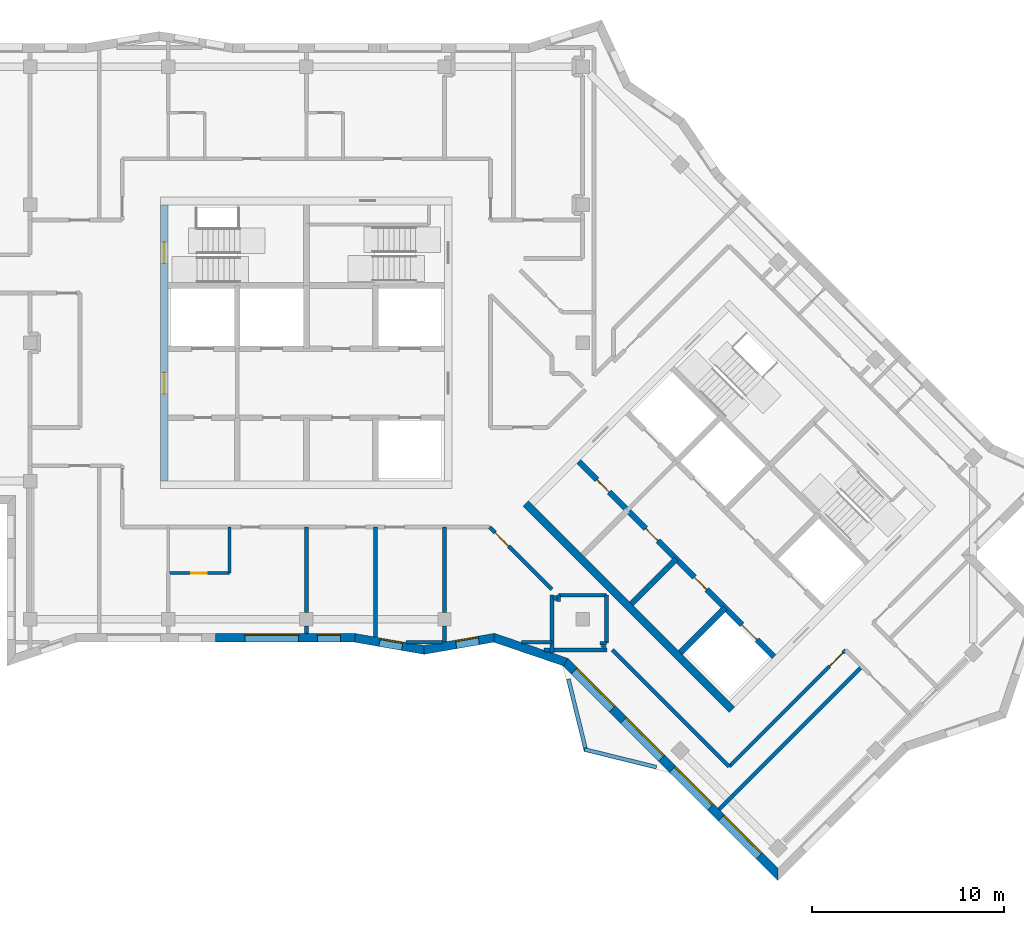
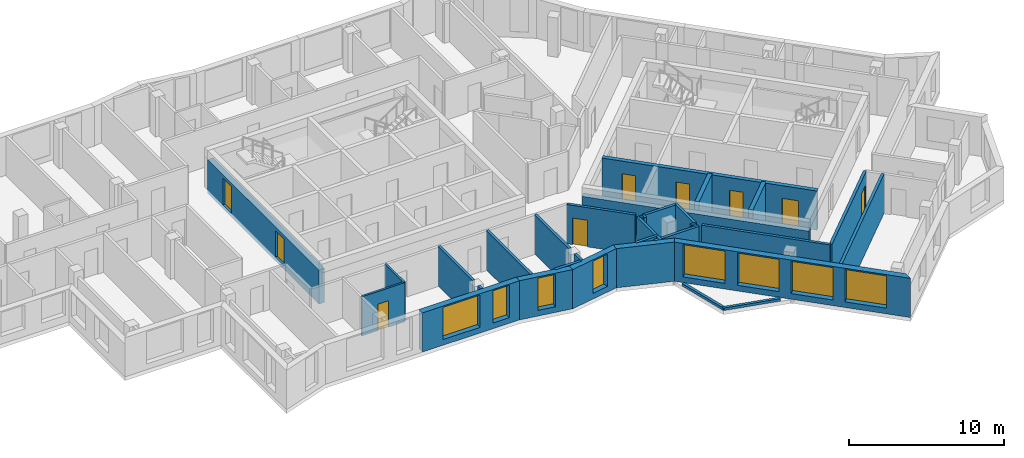
# One storey, part 3 of 11: 33 walls, 9 doors, 8 windows, 17 openings.
"""IFC4 building model written with IfcOpenShell, lengths in metres."""

from ifc_helpers import new_model, si_unit, direction, frame, frame_2d, origin, place, context, subcontext, project, spatial, polyline, rectangle, outline, extrude, material, layer, layer_set, type_object, element, fill, save


model = new_model("IFC4")

# Units and contexts
model_context = context("Model", 3, precision=1e-05, world=origin(), true_north=direction((0.0, 1.0)))
body_context = subcontext(model_context, "Body", "Model", "MODEL_VIEW")
ifc_project = project(units=[si_unit("LENGTHUNIT", "METRE"), si_unit("AREAUNIT", "SQUARE_METRE"), si_unit("VOLUMEUNIT", "CUBIC_METRE"), si_unit("PLANEANGLEUNIT", "RADIAN"), si_unit("MASSUNIT", "GRAM", prefix="KILO")], contexts=[model_context])

# Site, building, storey
site_placement = place(None, origin())
site = spatial("IfcSite", under=ifc_project, at=site_placement, CompositionType="ELEMENT")
building_placement = place(site_placement, origin())
building = spatial("IfcBuilding", under=site, at=building_placement, Name="Windrow Commons", CompositionType="ELEMENT")
storey_placement = place(building_placement, frame((0.0, 0.0, 281.2)))
storey = spatial("IfcBuildingStorey", under=building, at=storey_placement, Name="L77", CompositionType="ELEMENT", Elevation=281.2)

# Wall, openings, windows
ifc_material_1 = material(Name="Brick masonry, red clay brick", Category="masonry")
ifc_layer_1 = layer(ifc_material_1, 0.45)
ifc_layer_set_1 = layer_set([ifc_layer_1], Name="Brick facade wall 450")
wall_type_1 = type_object("IfcWallType", Name="Brick facade wall 450", PredefinedType="SOLIDWALL", material=ifc_layer_set_1)
wall_1_placement = place(storey_placement, frame((60.0708, 42.225, 0.0), z_axis=(0.0, 0.0, 1.0), x_axis=(1.0, 0.0, 0.0)))
wall_1 = element("IfcWall", 1, at=wall_1_placement, inside=storey, type_object=wall_type_1, Name="Brick facade wall L77 31", PredefinedType="SOLIDWALL", context=body_context, shape_type="SweptSolid", body=[
    extrude(outline(polyline([(0.0, -0.225), (7.2472, -0.225), (7.2862, 0.225), (0.0, 0.225), (0.0, -0.225)])), origin(), (0.0, 0.0, 1.0), 3.1),
])
opening_1_placement = place(wall_1_placement, frame((1.5292, 0.0, 0.45)))
opening_1 = element("IfcOpeningElement", 2, at=opening_1_placement, cuts=wall_1, Name="Opening W1V", PredefinedType="OPENING", context=body_context, shape_type="SweptSolid", body=[
    extrude(rectangle(XDim=2.8, YDim=2.55, at=frame_2d((1.4, 1.275))), frame((0.0, 0.235, 0.0), z_axis=(0.0, -1.0, 0.0), x_axis=(1.0, 0.0, 0.0)), (0.0, 0.0, 1.0), 0.47),
])
opening_2_placement = place(wall_1_placement, frame((5.2979, 0.0, 0.45)))
opening_2 = element("IfcOpeningElement", 3, at=opening_2_placement, cuts=wall_1, Name="Opening W7F", PredefinedType="OPENING", context=body_context, shape_type="SweptSolid", body=[
    extrude(rectangle(XDim=1.2, YDim=2.55, at=frame_2d((0.6, 1.275))), frame((0.0, 0.235, 0.0), z_axis=(0.0, -1.0, 0.0), x_axis=(1.0, 0.0, 0.0)), (0.0, 0.0, 1.0), 0.47),
])
ifc_material_2 = material(Name="Clear float glass in anodised aluminium frame", Category="aluminium")
window_type_1 = type_object("IfcWindowType", Name="Window W1V bedroom 2800x2550", PartitioningType="SINGLE_PANEL", PredefinedType="WINDOW", material=ifc_material_2)
window_1_placement = place(opening_1_placement, origin())
window_1 = element("IfcWindow", 4, at=window_1_placement, inside=storey, type_object=window_type_1, Name="Window L77 31.1", OverallHeight=2.55, OverallWidth=2.8, PartitioningType="SINGLE_PANEL", PredefinedType="WINDOW", context=body_context, shape_type="SweptSolid", body=[
    extrude(rectangle(XDim=2.8, YDim=2.55, at=frame_2d((1.4, 1.275))), frame((0.0, 0.205, 0.0), z_axis=(0.0, -1.0, 0.0), x_axis=(1.0, 0.0, 0.0)), (0.0, 0.0, 1.0), 0.06),
])
fill(opening_1, window_1)
ifc_material_3 = material(Name="Clear float glass in anodised aluminium frame", Category="aluminium")
window_type_2 = type_object("IfcWindowType", Name="Window W7 notch 1200x2550", PartitioningType="SINGLE_PANEL", PredefinedType="WINDOW", material=ifc_material_3)
window_2_placement = place(opening_2_placement, origin())
window_2 = element("IfcWindow", 5, at=window_2_placement, inside=storey, type_object=window_type_2, Name="Window L77 31.2", OverallHeight=2.55, OverallWidth=1.2, PartitioningType="SINGLE_PANEL", PredefinedType="WINDOW", context=body_context, shape_type="SweptSolid", body=[
    extrude(rectangle(XDim=1.2, YDim=2.55, at=frame_2d((0.6, 1.275))), frame((0.0, 0.205, 0.0), z_axis=(0.0, -1.0, 0.0), x_axis=(1.0, 0.0, 0.0)), (0.0, 0.0, 1.0), 0.06),
])
fill(opening_2, window_2)

# Wall, opening, window
wall_2_placement = place(storey_placement, frame((67.3376, 42.225, 0.0), z_axis=(0.0, 0.0, 1.0), x_axis=(0.9850822859, -0.1720839619, 0.0)))
wall_2 = element("IfcWall", 6, at=wall_2_placement, inside=storey, type_object=wall_type_1, Name="Brick facade wall L77 32", PredefinedType="SOLIDWALL", context=body_context, shape_type="SweptSolid", body=[
    extrude(outline(polyline([(0.0195, -0.225), (3.698, -0.225), (3.6194, 0.225), (-0.0195, 0.225), (0.0195, -0.225)])), origin(), (0.0, 0.0, 1.0), 3.1),
])
opening_3_placement = place(wall_2_placement, frame((1.299, 0.0, 0.45)))
opening_3 = element("IfcOpeningElement", 7, at=opening_3_placement, cuts=wall_2, Name="Opening W7F", PredefinedType="OPENING", context=body_context, shape_type="SweptSolid", body=[
    extrude(rectangle(XDim=1.2, YDim=2.55, at=frame_2d((0.6, 1.275))), frame((0.0, 0.235, 0.0), z_axis=(0.0, -1.0, 0.0), x_axis=(1.0, 0.0, 0.0)), (0.0, 0.0, 1.0), 0.47),
])
window_3_placement = place(opening_3_placement, origin())
window_3 = element("IfcWindow", 8, at=window_3_placement, inside=storey, type_object=window_type_2, Name="Window L77 32.1", OverallHeight=2.55, OverallWidth=1.2, PartitioningType="SINGLE_PANEL", PredefinedType="WINDOW", context=body_context, shape_type="SweptSolid", body=[
    extrude(rectangle(XDim=1.2, YDim=2.55, at=frame_2d((0.6, 1.275))), frame((0.0, 0.205, 0.0), z_axis=(0.0, -1.0, 0.0), x_axis=(1.0, 0.0, 0.0)), (0.0, 0.0, 1.0), 0.06),
])
fill(opening_3, window_3)

wall_3_placement = place(storey_placement, frame((70.9417, 41.5954, 0.0), z_axis=(0.0, 0.0, 1.0), x_axis=(0.9850846186, 0.172070608, 0.0)))
wall_3 = element("IfcWall", 9, at=wall_3_placement, inside=storey, type_object=wall_type_1, Name="Brick facade wall L77 33", PredefinedType="SOLIDWALL", context=body_context, shape_type="SweptSolid", body=[
    extrude(outline(polyline([(-0.0393, -0.225), (3.6392, -0.225), (3.7543, 0.225), (0.0393, 0.225), (-0.0393, -0.225)])), origin(), (0.0, 0.0, 1.0), 3.1),
])
opening_4_placement = place(wall_3_placement, frame((1.6855, 0.0, 0.45)))
opening_4 = element("IfcOpeningElement", 10, at=opening_4_placement, cuts=wall_3, Name="Opening W7F", PredefinedType="OPENING", context=body_context, shape_type="SweptSolid", body=[
    extrude(rectangle(XDim=1.2, YDim=2.55, at=frame_2d((0.6, 1.275))), frame((0.0, 0.235, 0.0), z_axis=(0.0, -1.0, 0.0), x_axis=(1.0, 0.0, 0.0)), (0.0, 0.0, 1.0), 0.47),
])
window_4_placement = place(opening_4_placement, origin())
window_4 = element("IfcWindow", 11, at=window_4_placement, inside=storey, type_object=window_type_2, Name="Window L77 33.1", OverallHeight=2.55, OverallWidth=1.2, PartitioningType="SINGLE_PANEL", PredefinedType="WINDOW", context=body_context, shape_type="SweptSolid", body=[
    extrude(rectangle(XDim=1.2, YDim=2.55, at=frame_2d((0.6, 1.275))), frame((0.0, 0.205, 0.0), z_axis=(0.0, -1.0, 0.0), x_axis=(1.0, 0.0, 0.0)), (0.0, 0.0, 1.0), 0.06),
])
fill(opening_4, window_4)

# Wall
wall_4_placement = place(storey_placement, frame((74.5833, 42.2315, 0.0), z_axis=(0.0, 0.0, 1.0), x_axis=(0.9466967117, -0.3221262734, 0.0)))
element("IfcWall", 12, at=wall_4_placement, inside=storey, type_object=wall_type_1, Name="Brick facade wall L77 34", PredefinedType="SOLIDWALL", context=body_context, shape_type="SweptSolid", body=[
    extrude(outline(polyline([(0.0576, -0.225), (3.8852, -0.225), (3.99, 0.225), (-0.0576, 0.225), (0.0576, -0.225)])), origin(), (0.0, 0.0, 1.0), 3.1),
])

# Wall, openings, windows
wall_5_placement = place(storey_placement, frame((78.311, 40.9631, 0.0), z_axis=(0.0, 0.0, 1.0), x_axis=(0.7071067812, -0.7071067812, 0.0)))
wall_5 = element("IfcWall", 13, at=wall_5_placement, inside=storey, type_object=wall_type_1, Name="Brick facade wall L77 35", PredefinedType="SOLIDWALL", context=body_context, shape_type="SweptSolid", body=[
    extrude(outline(polyline([(0.0524, -0.225), (15.8822, -0.225), (15.4322, 0.225), (-0.0524, 0.225), (0.0524, -0.225)])), origin(), (0.0, 0.0, 1.0), 3.1),
])
opening_5_placement = place(wall_5_placement, frame((0.6411, 0.0, 0.45)))
opening_5 = element("IfcOpeningElement", 14, at=opening_5_placement, cuts=wall_5, Name="Opening W1V", PredefinedType="OPENING", context=body_context, shape_type="SweptSolid", body=[
    extrude(rectangle(XDim=2.8, YDim=2.55, at=frame_2d((1.4, 1.275))), frame((0.0, 0.235, 0.0), z_axis=(0.0, -1.0, 0.0), x_axis=(1.0, 0.0, 0.0)), (0.0, 0.0, 1.0), 0.47),
])
opening_6_placement = place(wall_5_placement, frame((4.2823, 0.0, 0.45)))
opening_6 = element("IfcOpeningElement", 15, at=opening_6_placement, cuts=wall_5, Name="Opening W1V", PredefinedType="OPENING", context=body_context, shape_type="SweptSolid", body=[
    extrude(rectangle(XDim=2.8, YDim=2.55, at=frame_2d((1.4, 1.275))), frame((0.0, 0.235, 0.0), z_axis=(0.0, -1.0, 0.0), x_axis=(1.0, 0.0, 0.0)), (0.0, 0.0, 1.0), 0.47),
])
opening_7_placement = place(wall_5_placement, frame((7.8823, 0.0, 0.45)))
opening_7 = element("IfcOpeningElement", 16, at=opening_7_placement, cuts=wall_5, Name="Opening W1V", PredefinedType="OPENING", context=body_context, shape_type="SweptSolid", body=[
    extrude(rectangle(XDim=2.8, YDim=2.55, at=frame_2d((1.4, 1.275))), frame((0.0, 0.235, 0.0), z_axis=(0.0, -1.0, 0.0), x_axis=(1.0, 0.0, 0.0)), (0.0, 0.0, 1.0), 0.47),
])
opening_8_placement = place(wall_5_placement, frame((11.4823, 0.0, 0.45)))
opening_8 = element("IfcOpeningElement", 17, at=opening_8_placement, cuts=wall_5, Name="Opening W1V", PredefinedType="OPENING", context=body_context, shape_type="SweptSolid", body=[
    extrude(rectangle(XDim=2.8, YDim=2.55, at=frame_2d((1.4, 1.275))), frame((0.0, 0.235, 0.0), z_axis=(0.0, -1.0, 0.0), x_axis=(1.0, 0.0, 0.0)), (0.0, 0.0, 1.0), 0.47),
])
window_5_placement = place(opening_5_placement, origin())
window_5 = element("IfcWindow", 18, at=window_5_placement, inside=storey, type_object=window_type_1, Name="Window L77 35.1", OverallHeight=2.55, OverallWidth=2.8, PartitioningType="SINGLE_PANEL", PredefinedType="WINDOW", context=body_context, shape_type="SweptSolid", body=[
    extrude(rectangle(XDim=2.8, YDim=2.55, at=frame_2d((1.4, 1.275))), frame((0.0, 0.205, 0.0), z_axis=(0.0, -1.0, 0.0), x_axis=(1.0, 0.0, 0.0)), (0.0, 0.0, 1.0), 0.06),
])
fill(opening_5, window_5)
window_6_placement = place(opening_6_placement, origin())
window_6 = element("IfcWindow", 19, at=window_6_placement, inside=storey, type_object=window_type_1, Name="Window L77 35.2", OverallHeight=2.55, OverallWidth=2.8, PartitioningType="SINGLE_PANEL", PredefinedType="WINDOW", context=body_context, shape_type="SweptSolid", body=[
    extrude(rectangle(XDim=2.8, YDim=2.55, at=frame_2d((1.4, 1.275))), frame((0.0, 0.205, 0.0), z_axis=(0.0, -1.0, 0.0), x_axis=(1.0, 0.0, 0.0)), (0.0, 0.0, 1.0), 0.06),
])
fill(opening_6, window_6)
window_7_placement = place(opening_7_placement, origin())
window_7 = element("IfcWindow", 20, at=window_7_placement, inside=storey, type_object=window_type_1, Name="Window L77 35.3", OverallHeight=2.55, OverallWidth=2.8, PartitioningType="SINGLE_PANEL", PredefinedType="WINDOW", context=body_context, shape_type="SweptSolid", body=[
    extrude(rectangle(XDim=2.8, YDim=2.55, at=frame_2d((1.4, 1.275))), frame((0.0, 0.205, 0.0), z_axis=(0.0, -1.0, 0.0), x_axis=(1.0, 0.0, 0.0)), (0.0, 0.0, 1.0), 0.06),
])
fill(opening_7, window_7)
window_8_placement = place(opening_8_placement, origin())
window_8 = element("IfcWindow", 21, at=window_8_placement, inside=storey, type_object=window_type_1, Name="Window L77 35.4", OverallHeight=2.55, OverallWidth=2.8, PartitioningType="SINGLE_PANEL", PredefinedType="WINDOW", context=body_context, shape_type="SweptSolid", body=[
    extrude(rectangle(XDim=2.8, YDim=2.55, at=frame_2d((1.4, 1.275))), frame((0.0, 0.205, 0.0), z_axis=(0.0, -1.0, 0.0), x_axis=(1.0, 0.0, 0.0)), (0.0, 0.0, 1.0), 0.06),
])
fill(opening_8, window_8)

# Wall
ifc_material_4 = material(Name="Blockwork partition", Category="masonry")
ifc_layer_2 = layer(ifc_material_4, 0.2)
ifc_layer_set_2 = layer_set([ifc_layer_2], Name="IW-CORRIDOR-200")
wall_type_2 = type_object("IfcWallType", Name="IW-CORRIDOR-200", PredefinedType="PARTITIONING", material=ifc_layer_set_2)
wall_6_placement = place(storey_placement, frame((80.7468, 41.5968, 0.0), z_axis=(0.0, 0.0, 1.0), x_axis=(0.7071067812, -0.7071067812, 0.0)))
element("IfcWall", 22, at=wall_6_placement, inside=storey, type_object=wall_type_2, Name="W-L77-W012", PredefinedType="PARTITIONING", context=body_context, shape_type="SweptSolid", body=[
    extrude(rectangle(XDim=8.6069, YDim=0.2, at=frame_2d((4.3034, 0.0))), origin(), (0.0, 0.0, 1.0), 3.1),
])

# Wall, opening, door
wall_7_placement = place(storey_placement, frame((86.8369, 35.5151, 0.0), z_axis=(0.0, 0.0, 1.0), x_axis=(0.7071067812, 0.7071067812, 0.0)))
wall_7 = element("IfcWall", 23, at=wall_7_placement, inside=storey, type_object=wall_type_2, Name="W-L77-W014", PredefinedType="PARTITIONING", context=body_context, shape_type="SweptSolid", body=[
    extrude(rectangle(XDim=8.5984, YDim=0.2, at=frame_2d((4.2992, 0.0))), origin(), (0.0, 0.0, 1.0), 3.1),
])
opening_9_placement = place(wall_7_placement, frame((7.3998, 0.0, 0.0)))
opening_9 = element("IfcOpeningElement", 24, at=opening_9_placement, cuts=wall_7, Name="Opening D310F", PredefinedType="OPENING", context=body_context, shape_type="SweptSolid", body=[
    extrude(rectangle(XDim=1.0, YDim=2.1, at=frame_2d((0.5, 1.05))), frame((0.0, 0.11, 0.0), z_axis=(0.0, -1.0, 0.0), x_axis=(1.0, 0.0, 0.0)), (0.0, 0.0, 1.0), 0.22),
])
ifc_material_5 = material(Name="Timber door leaf", Category="wood")
door_type_1 = type_object("IfcDoorType", Name="DT-AMENITY-1000", OperationType="SINGLE_SWING_LEFT", PredefinedType="DOOR", material=ifc_material_5)
door_1_placement = place(opening_9_placement, origin())
door_1 = element("IfcDoor", 25, at=door_1_placement, inside=storey, type_object=door_type_1, Name="D-L77-D036", OperationType="SINGLE_SWING_LEFT", OverallHeight=2.1, OverallWidth=1.0, PredefinedType="DOOR", context=body_context, shape_type="SweptSolid", body=[
    extrude(rectangle(XDim=1.0, YDim=2.1, at=frame_2d((0.5, 1.05))), frame((0.0, 0.025, 0.0), z_axis=(0.0, -1.0, 0.0), x_axis=(1.0, 0.0, 0.0)), (0.0, 0.0, 1.0), 0.05),
])
fill(opening_9, door_1)

wall_8_placement = place(storey_placement, frame((74.3468, 47.9968, 0.0), z_axis=(0.0, 0.0, 1.0), x_axis=(0.7071067812, -0.7071067812, 0.0)))
wall_8 = element("IfcWall", 26, at=wall_8_placement, inside=storey, type_object=wall_type_2, Name="W-L77-W037", PredefinedType="PARTITIONING", context=body_context, shape_type="SweptSolid", body=[
    extrude(rectangle(XDim=4.5962, YDim=0.2, at=frame_2d((2.2981, 0.0))), origin(), (0.0, 0.0, 1.0), 3.1),
])
opening_10_placement = place(wall_8_placement, frame((0.4007, 0.0, 0.0)))
opening_10 = element("IfcOpeningElement", 27, at=opening_10_placement, cuts=wall_8, Name="Opening D310F", PredefinedType="OPENING", context=body_context, shape_type="SweptSolid", body=[
    extrude(rectangle(XDim=1.0, YDim=2.1, at=frame_2d((0.5, 1.05))), frame((0.0, 0.11, 0.0), z_axis=(0.0, -1.0, 0.0), x_axis=(1.0, 0.0, 0.0)), (0.0, 0.0, 1.0), 0.22),
])
door_2_placement = place(opening_10_placement, origin())
door_2 = element("IfcDoor", 28, at=door_2_placement, inside=storey, type_object=door_type_1, Name="D-L77-D028", OperationType="SINGLE_SWING_LEFT", OverallHeight=2.1, OverallWidth=1.0, PredefinedType="DOOR", context=body_context, shape_type="SweptSolid", body=[
    extrude(rectangle(XDim=1.0, YDim=2.1, at=frame_2d((0.5, 1.05))), frame((0.0, 0.025, 0.0), z_axis=(0.0, -1.0, 0.0), x_axis=(1.0, 0.0, 0.0)), (0.0, 0.0, 1.0), 0.05),
])
fill(opening_10, door_2)

# Walls
for number, where, z_axis, x_axis, name in (
    (29, (80.45, 41.952, 0.0), (0.0, 0.0, 1.0), (0.0, 1.0, 0.0), "W-L77-W062"),
    (30, (77.952, 44.45, 0.0), (0.0, 0.0, 1.0), (1.0, 0.0, 0.0), "W-L77-W063"),
):
    element("IfcWall", number, at=place(storey_placement, frame(where, z_axis=z_axis, x_axis=x_axis)), inside=storey, type_object=wall_type_2, Name=name, PredefinedType="PARTITIONING", context=body_context, shape_type="SweptSolid", body=[
        extrude(rectangle(XDim=2.498, YDim=0.2, at=frame_2d((1.249, 0.0))), origin(), (0.0, 0.0, 1.0), 3.1),
    ])
for number, where, z_axis, x_axis, name in (
    (31, (80.2205, 41.8545, 0.0), (0.0, 0.0, 1.0), (0.7068844555, -0.707329037, 0.0), "W-L77-W127"),
    (32, (77.6954, 44.3795, 0.0), (0.0, 0.0, 1.0), (0.707329037, -0.7068844555, 0.0), "W-L77-W128"),
):
    element("IfcWall", number, at=place(storey_placement, frame(where, z_axis=z_axis, x_axis=x_axis)), inside=storey, type_object=wall_type_2, Name=name, PredefinedType="PARTITIONING", context=body_context, shape_type="SweptSolid", body=[
        extrude(rectangle(XDim=0.2249, YDim=0.2, at=frame_2d((0.1124, 0.0))), origin(), (0.0, 0.0, 1.0), 3.1),
    ])
for number, where, z_axis, x_axis, name in (
    (33, (80.118, 41.95, 0.0), (0.0, 0.0, 1.0), (1.0, 0.0, 0.0), "W-L77-W147"),
    (34, (77.95, 44.118, 0.0), (0.0, 0.0, 1.0), (0.0, 1.0, 0.0), "W-L77-W148"),
):
    element("IfcWall", number, at=place(storey_placement, frame(where, z_axis=z_axis, x_axis=x_axis)), inside=storey, type_object=wall_type_2, Name=name, PredefinedType="PARTITIONING", context=body_context, shape_type="SweptSolid", body=[
        extrude(rectangle(XDim=0.332, YDim=0.2, at=frame_2d((0.166, 0.0))), origin(), (0.0, 0.0, 1.0), 3.1),
    ])

# Wall, opening, door
ifc_material_6 = material(Name="Blockwork partition", Category="masonry")
ifc_layer_3 = layer(ifc_material_6, 0.15)
ifc_layer_set_3 = layer_set([ifc_layer_3], Name="IW-ENSUITE-150")
wall_type_3 = type_object("IfcWallType", Name="IW-ENSUITE-150", PredefinedType="PARTITIONING", material=ifc_layer_set_3)
wall_9_placement = place(storey_placement, frame((57.6, 45.6, 0.0), z_axis=(0.0, 0.0, 1.0), x_axis=(1.0, 0.0, 0.0)))
wall_9 = element("IfcWall", 35, at=wall_9_placement, inside=storey, type_object=wall_type_3, Name="W-L77-W048", PredefinedType="PARTITIONING", context=body_context, shape_type="SweptSolid", body=[
    extrude(rectangle(XDim=3.2, YDim=0.15, at=frame_2d((1.6, 0.0))), origin(), (0.0, 0.0, 1.0), 3.1),
])
opening_11_placement = place(wall_9_placement, frame((1.1958, 0.0, 0.0)))
opening_11 = element("IfcOpeningElement", 36, at=opening_11_placement, cuts=wall_9, Name="Opening D208N", PredefinedType="OPENING", context=body_context, shape_type="SweptSolid", body=[
    extrude(rectangle(XDim=0.8, YDim=2.1, at=frame_2d((0.4, 1.05))), frame((0.0, 0.085, 0.0), z_axis=(0.0, -1.0, 0.0), x_axis=(1.0, 0.0, 0.0)), (0.0, 0.0, 1.0), 0.17),
])
ifc_material_7 = material(Name="Timber door leaf", Category="wood")
door_type_2 = type_object("IfcDoorType", Name="DT-ENSUITE-800", OperationType="SINGLE_SWING_LEFT", PredefinedType="DOOR", material=ifc_material_7)
door_3_placement = place(opening_11_placement, origin())
door_3 = element("IfcDoor", 37, at=door_3_placement, inside=storey, type_object=door_type_2, Name="D-L77-D025", OperationType="SINGLE_SWING_RIGHT", OverallHeight=2.1, OverallWidth=0.8, PredefinedType="DOOR", context=body_context, shape_type="SweptSolid", body=[
    extrude(rectangle(XDim=0.8, YDim=2.1, at=frame_2d((0.4, 1.05))), frame((0.0, 0.025, 0.0), z_axis=(0.0, -1.0, 0.0), x_axis=(1.0, 0.0, 0.0)), (0.0, 0.0, 1.0), 0.05),
])
fill(opening_11, door_3)

# Walls
wall_10_placement = place(storey_placement, frame((60.8, 45.6, 0.0), z_axis=(0.0, 0.0, 1.0), x_axis=(0.0, 1.0, 0.0)))
element("IfcWall", 38, at=wall_10_placement, inside=storey, type_object=wall_type_3, Name="W-L77-W065", PredefinedType="PARTITIONING", context=body_context, shape_type="SweptSolid", body=[
    extrude(rectangle(XDim=2.4, YDim=0.15, at=frame_2d((1.2, 0.0))), origin(), (0.0, 0.0, 1.0), 3.1),
])
ifc_material_8 = material(Name="Blockwork partition", Category="masonry")
ifc_layer_4 = layer(ifc_material_8, 0.2)
ifc_layer_set_4 = layer_set([ifc_layer_4], Name="IW-PARTY-200")
wall_type_4 = type_object("IfcWallType", Name="IW-PARTY-200", PredefinedType="PARTITIONING", material=ifc_layer_set_4)
wall_11_placement = place(storey_placement, frame((86.3056, 33.2867, 0.0), z_axis=(0.0, 0.0, 1.0), x_axis=(0.7071020418, 0.7071115206, 0.0)))
element("IfcWall", 39, at=wall_11_placement, inside=storey, type_object=wall_type_4, Name="W-L77-W006", PredefinedType="PARTITIONING", context=body_context, shape_type="SweptSolid", body=[
    extrude(rectangle(XDim=10.5498, YDim=0.2, at=frame_2d((5.2749, 0.0))), origin(), (0.0, 0.0, 1.0), 3.1),
])
wall_12_placement = place(storey_placement, frame((68.4, 42.2678, 0.0), z_axis=(0.0, 0.0, 1.0), x_axis=(0.0, 1.0, 0.0)))
element("IfcWall", 40, at=wall_12_placement, inside=storey, type_object=wall_type_4, Name="W-L77-W027", PredefinedType="PARTITIONING", context=body_context, shape_type="SweptSolid", body=[
    extrude(rectangle(XDim=5.7322, YDim=0.2, at=frame_2d((2.8661, 0.0))), origin(), (0.0, 0.0, 1.0), 3.1),
])
for number, where, z_axis, x_axis, name in (
    (41, (64.8, 43.55, 0.0), (0.0, 0.0, 1.0), (0.0, 1.0, 0.0), "W-L77-W039"),
    (42, (72.0, 43.55, 0.0), (0.0, 0.0, 1.0), (0.0, 1.0, 0.0), "W-L77-W040"),
):
    element("IfcWall", number, at=place(storey_placement, frame(where, z_axis=z_axis, x_axis=x_axis)), inside=storey, type_object=wall_type_4, Name=name, PredefinedType="PARTITIONING", context=body_context, shape_type="SweptSolid", body=[
        extrude(rectangle(XDim=4.45, YDim=0.2, at=frame_2d((2.225, 0.0))), origin(), (0.0, 0.0, 1.0), 3.1),
    ])
wall_13_placement = place(storey_placement, frame((77.1878, 41.6, 0.0), z_axis=(0.0, 0.0, 1.0), x_axis=(1.0, 0.0, 0.0)))
element("IfcWall", 43, at=wall_13_placement, inside=storey, type_object=wall_type_4, Name="W-L77-W046", PredefinedType="PARTITIONING", context=body_context, shape_type="SweptSolid", body=[
    extrude(rectangle(XDim=3.2802, YDim=0.2, at=frame_2d((1.6401, 0.0))), origin(), (0.0, 0.0, 1.0), 3.1),
])
wall_14_placement = place(storey_placement, frame((77.6, 41.4427, 0.0), z_axis=(0.0, 0.0, 1.0), x_axis=(0.0, 1.0, 0.0)))
element("IfcWall", 44, at=wall_14_placement, inside=storey, type_object=wall_type_4, Name="W-L77-W054", PredefinedType="PARTITIONING", context=body_context, shape_type="SweptSolid", body=[
    extrude(rectangle(XDim=3.0253, YDim=0.2, at=frame_2d((1.5127, 0.0))), origin(), (0.0, 0.0, 1.0), 3.1),
])
wall_15_placement = place(storey_placement, frame((69.9831, 42.0, 0.0), z_axis=(0.0, 0.0, 1.0), x_axis=(1.0, 0.0, 0.0)))
element("IfcWall", 45, at=wall_15_placement, inside=storey, type_object=wall_type_4, Name="W-L77-W090", PredefinedType="PARTITIONING", context=body_context, shape_type="SweptSolid", body=[
    extrude(rectangle(XDim=1.9172, YDim=0.2, at=frame_2d((0.9586, 0.0))), origin(), (0.0, 0.0, 1.0), 3.1),
])
wall_16_placement = place(storey_placement, frame((76.0122, 42.0, 0.0), z_axis=(0.0, 0.0, 1.0), x_axis=(1.0, 0.0, 0.0)))
element("IfcWall", 46, at=wall_16_placement, inside=storey, type_object=wall_type_4, Name="W-L77-W105", PredefinedType="PARTITIONING", context=body_context, shape_type="SweptSolid", body=[
    extrude(rectangle(XDim=1.5878, YDim=0.2, at=frame_2d((0.7939, 0.0))), origin(), (0.0, 0.0, 1.0), 3.1),
])
wall_17_placement = place(storey_placement, frame((72.0, 42.0087, 0.0), z_axis=(0.0, 0.0, 1.0), x_axis=(0.0, 1.0, 0.0)))
element("IfcWall", 47, at=wall_17_placement, inside=storey, type_object=wall_type_4, Name="W-L77-W120", PredefinedType="PARTITIONING", context=body_context, shape_type="SweptSolid", body=[
    extrude(rectangle(XDim=0.8413, YDim=0.2, at=frame_2d((0.4207, 0.0))), origin(), (0.0, 0.0, 1.0), 3.1),
])
wall_18_placement = place(storey_placement, frame((64.8, 42.45, 0.0), z_axis=(0.0, 0.0, 1.0), x_axis=(0.0, 1.0, 0.0)))
element("IfcWall", 48, at=wall_18_placement, inside=storey, type_object=wall_type_4, Name="W-L77-W144", PredefinedType="PARTITIONING", context=body_context, shape_type="SweptSolid", body=[
    extrude(rectangle(XDim=0.4, YDim=0.2, at=frame_2d((0.2, 0.0))), origin(), (0.0, 0.0, 1.0), 3.1),
])

# Wall, openings, doors
ifc_material_9 = material(Name="Concrete C40/50", Category="concrete")
ifc_layer_5 = layer(ifc_material_9, 0.4)
ifc_layer_set_5 = layer_set([ifc_layer_5], Name="RC CORE WALL 400 C40/50")
wall_type_5 = type_object("IfcWallType", Name="RC CORE WALL 400 C40/50", PredefinedType="SHEAR", material=ifc_layer_set_5)
wall_19_placement = place(storey_placement, frame((57.4, 50.4, -0.3), z_axis=(0.0, 0.0, 1.0), x_axis=(0.0, 1.0, 0.0)))
wall_19 = element("IfcWall", 49, at=wall_19_placement, inside=storey, type_object=wall_type_5, Name="Core A wall outer-W", PredefinedType="SHEAR", context=body_context, shape_type="SweptSolid", body=[
    extrude(rectangle(XDim=14.4, YDim=0.4, at=frame_2d((7.2, 0.0))), origin(), (0.0, 0.0, 1.0), 2.7),
])
opening_12_placement = place(wall_19_placement, frame((4.55, 0.0, 0.3)))
opening_12 = element("IfcOpeningElement", 50, at=opening_12_placement, cuts=wall_19, Name="Opening D6", PredefinedType="OPENING", context=body_context, shape_type="SweptSolid", body=[
    extrude(rectangle(XDim=1.1, YDim=2.1, at=frame_2d((0.55, 1.05))), frame((0.0, 0.21, 0.0), z_axis=(0.0, -1.0, 0.0), x_axis=(1.0, 0.0, 0.0)), (0.0, 0.0, 1.0), 0.42),
])
opening_13_placement = place(wall_19_placement, frame((11.35, 0.0, 0.3)))
opening_13 = element("IfcOpeningElement", 51, at=opening_13_placement, cuts=wall_19, Name="Opening D7", PredefinedType="OPENING", context=body_context, shape_type="SweptSolid", body=[
    extrude(rectangle(XDim=1.1, YDim=2.1, at=frame_2d((0.55, 1.05))), frame((0.0, 0.21, 0.0), z_axis=(0.0, -1.0, 0.0), x_axis=(1.0, 0.0, 0.0)), (0.0, 0.0, 1.0), 0.42),
])
ifc_material_10 = material(Name="Steel fire door leaf", Category="steel")
door_type_3 = type_object("IfcDoorType", Name="Core lobby door 1100", OperationType="SINGLE_SWING_LEFT", PredefinedType="DOOR", material=ifc_material_10)
door_4_placement = place(opening_12_placement, origin())
door_4 = element("IfcDoor", 52, at=door_4_placement, inside=storey, type_object=door_type_3, Name="Lift lobby door", OperationType="DOUBLE_DOOR_SINGLE_SWING", OverallHeight=2.1, OverallWidth=1.1, PredefinedType="DOOR", context=body_context, shape_type="SweptSolid", body=[
    extrude(rectangle(XDim=1.1, YDim=2.1, at=frame_2d((0.55, 1.05))), frame((0.0, 0.025, 0.0), z_axis=(0.0, -1.0, 0.0), x_axis=(1.0, 0.0, 0.0)), (0.0, 0.0, 1.0), 0.05),
])
fill(opening_12, door_4)
ifc_material_11 = material(Name="Steel fire door leaf", Category="steel")
door_type_4 = type_object("IfcDoorType", Name="Stair door 1100", OperationType="SINGLE_SWING_LEFT", PredefinedType="DOOR", material=ifc_material_11)
door_5_placement = place(opening_13_placement, origin())
door_5 = element("IfcDoor", 53, at=door_5_placement, inside=storey, type_object=door_type_4, Name="Stair door", OperationType="SINGLE_SWING_LEFT", OverallHeight=2.1, OverallWidth=1.1, PredefinedType="DOOR", context=body_context, shape_type="SweptSolid", body=[
    extrude(rectangle(XDim=1.1, YDim=2.1, at=frame_2d((0.55, 1.05))), frame((0.0, 0.025, 0.0), z_axis=(0.0, -1.0, 0.0), x_axis=(1.0, 0.0, 0.0)), (0.0, 0.0, 1.0), 0.05),
])
fill(opening_13, door_5)

# Walls
wall_20_placement = place(storey_placement, frame((76.2302, 49.2312, -0.3), z_axis=(0.0, 0.0, 1.0), x_axis=(0.7071034917, -0.7071100706, 0.0)))
element("IfcWall", 54, at=wall_20_placement, inside=storey, type_object=wall_type_5, Name="Core B wall outer-S", PredefinedType="SHEAR", context=body_context, shape_type="SweptSolid", body=[
    extrude(rectangle(XDim=15.2, YDim=0.4, at=frame_2d((7.6, 0.0))), origin(), (0.0, 0.0, 1.0), 2.7),
])
ifc_material_12 = material(Name="Concrete C40/50", Category="concrete")
ifc_layer_6 = layer(ifc_material_12, 0.3)
ifc_layer_set_6 = layer_set([ifc_layer_6], Name="RC SHAFT WALL 300 C40/50")
wall_type_6 = type_object("IfcWallType", Name="RC SHAFT WALL 300 C40/50", PredefinedType="SOLIDWALL", material=ifc_layer_set_6)
for number, where, z_axis, x_axis, name in (
    (55, (81.7456, 43.9986, 0.0), (0.0, 0.0, 1.0), (0.7071067812, 0.7071067812, 0.0), "Core B wall shaft-S2"),
    (56, (84.2912, 41.453, 0.0), (0.0, 0.0, 1.0), (0.7071067812, 0.7071067812, 0.0), "Core B wall shaft-S3"),
):
    element("IfcWall", number, at=place(storey_placement, frame(where, z_axis=z_axis, x_axis=x_axis)), inside=storey, type_object=wall_type_6, Name=name, PredefinedType="SOLIDWALL", context=body_context, shape_type="SweptSolid", body=[
        extrude(rectangle(XDim=3.2999, YDim=0.3, at=frame_2d((1.65, 0.0))), origin(), (0.0, 0.0, 1.0), 3.1),
    ])

# Wall, openings, doors
wall_21_placement = place(storey_placement, frame((78.9879, 51.4232, 0.0), z_axis=(0.0, 0.0, 1.0), x_axis=(0.7071067812, -0.7071067812, 0.0)))
wall_21 = element("IfcWall", 57, at=wall_21_placement, inside=storey, type_object=wall_type_6, Name="Core B wall lobby-S", PredefinedType="SOLIDWALL", context=body_context, shape_type="SweptSolid", body=[
    extrude(rectangle(XDim=14.3999, YDim=0.3, at=frame_2d((7.2, 0.0))), origin(), (0.0, 0.0, 1.0), 3.1),
])
opening_14_placement = place(wall_21_placement, frame((1.35, 0.0, 0.0)))
opening_14 = element("IfcOpeningElement", 58, at=opening_14_placement, cuts=wall_21, Name="Opening D8", PredefinedType="OPENING", context=body_context, shape_type="SweptSolid", body=[
    extrude(rectangle(XDim=0.9, YDim=2.1, at=frame_2d((0.45, 1.05))), frame((0.0, 0.16, 0.0), z_axis=(0.0, -1.0, 0.0), x_axis=(1.0, 0.0, 0.0)), (0.0, 0.0, 1.0), 0.32),
])
opening_15_placement = place(wall_21_placement, frame((4.95, 0.0, 0.0)))
opening_15 = element("IfcOpeningElement", 59, at=opening_15_placement, cuts=wall_21, Name="Opening D8", PredefinedType="OPENING", context=body_context, shape_type="SweptSolid", body=[
    extrude(rectangle(XDim=0.9, YDim=2.1, at=frame_2d((0.45, 1.05))), frame((0.0, 0.16, 0.0), z_axis=(0.0, -1.0, 0.0), x_axis=(1.0, 0.0, 0.0)), (0.0, 0.0, 1.0), 0.32),
])
opening_16_placement = place(wall_21_placement, frame((8.55, 0.0, 0.0)))
opening_16 = element("IfcOpeningElement", 60, at=opening_16_placement, cuts=wall_21, Name="Opening D8", PredefinedType="OPENING", context=body_context, shape_type="SweptSolid", body=[
    extrude(rectangle(XDim=0.9, YDim=2.1, at=frame_2d((0.45, 1.05))), frame((0.0, 0.16, 0.0), z_axis=(0.0, -1.0, 0.0), x_axis=(1.0, 0.0, 0.0)), (0.0, 0.0, 1.0), 0.32),
])
opening_17_placement = place(wall_21_placement, frame((12.05, 0.0, 0.0)))
opening_17 = element("IfcOpeningElement", 61, at=opening_17_placement, cuts=wall_21, Name="Opening LD", PredefinedType="OPENING", context=body_context, shape_type="SweptSolid", body=[
    extrude(rectangle(XDim=1.1, YDim=2.1, at=frame_2d((0.55, 1.05))), frame((0.0, 0.16, 0.0), z_axis=(0.0, -1.0, 0.0), x_axis=(1.0, 0.0, 0.0)), (0.0, 0.0, 1.0), 0.32),
])
ifc_material_13 = material(Name="Steel fire door leaf", Category="steel")
door_type_5 = type_object("IfcDoorType", Name="Core store door 900", OperationType="SINGLE_SWING_LEFT", PredefinedType="DOOR", material=ifc_material_13)
door_6_placement = place(opening_14_placement, origin())
door_6 = element("IfcDoor", 62, at=door_6_placement, inside=storey, type_object=door_type_5, Name="Store door", OperationType="SINGLE_SWING_LEFT", OverallHeight=2.1, OverallWidth=0.9, PredefinedType="DOOR", context=body_context, shape_type="SweptSolid", body=[
    extrude(rectangle(XDim=0.9, YDim=2.1, at=frame_2d((0.45, 1.05))), frame((0.0, 0.025, 0.0), z_axis=(0.0, -1.0, 0.0), x_axis=(1.0, 0.0, 0.0)), (0.0, 0.0, 1.0), 0.05),
])
fill(opening_14, door_6)
door_7_placement = place(opening_15_placement, origin())
door_7 = element("IfcDoor", 63, at=door_7_placement, inside=storey, type_object=door_type_5, Name="Store door", OperationType="SINGLE_SWING_LEFT", OverallHeight=2.1, OverallWidth=0.9, PredefinedType="DOOR", context=body_context, shape_type="SweptSolid", body=[
    extrude(rectangle(XDim=0.9, YDim=2.1, at=frame_2d((0.45, 1.05))), frame((0.0, 0.025, 0.0), z_axis=(0.0, -1.0, 0.0), x_axis=(1.0, 0.0, 0.0)), (0.0, 0.0, 1.0), 0.05),
])
fill(opening_15, door_7)
door_8_placement = place(opening_16_placement, origin())
door_8 = element("IfcDoor", 64, at=door_8_placement, inside=storey, type_object=door_type_5, Name="Store door", OperationType="SINGLE_SWING_LEFT", OverallHeight=2.1, OverallWidth=0.9, PredefinedType="DOOR", context=body_context, shape_type="SweptSolid", body=[
    extrude(rectangle(XDim=0.9, YDim=2.1, at=frame_2d((0.45, 1.05))), frame((0.0, 0.025, 0.0), z_axis=(0.0, -1.0, 0.0), x_axis=(1.0, 0.0, 0.0)), (0.0, 0.0, 1.0), 0.05),
])
fill(opening_16, door_8)
ifc_material_14 = material(Name="Stainless steel door leaf", Category="steel")
door_type_6 = type_object("IfcDoorType", Name="Lift landing door 1100", OperationType="SLIDING_TO_LEFT", PredefinedType="DOOR", material=ifc_material_14)
door_9_placement = place(opening_17_placement, origin())
door_9 = element("IfcDoor", 65, at=door_9_placement, inside=storey, type_object=door_type_6, Name="Lift landing door", OperationType="SLIDING_TO_RIGHT", OverallHeight=2.1, OverallWidth=1.1, PredefinedType="DOOR", context=body_context, shape_type="SweptSolid", body=[
    extrude(rectangle(XDim=1.1, YDim=2.1, at=frame_2d((0.55, 1.05))), frame((0.0, 0.025, 0.0), z_axis=(0.0, -1.0, 0.0), x_axis=(1.0, 0.0, 0.0)), (0.0, 0.0, 1.0), 0.05),
])
fill(opening_17, door_9)

# Walls
ifc_material_15 = material(Name="Brick masonry, red clay brick", Category="masonry")
ifc_layer_7 = layer(ifc_material_15, 0.2)
ifc_layer_set_7 = layer_set([ifc_layer_7], Name="Terrace edge parapet 200")
wall_type_7 = type_object("IfcWallType", Name="Terrace edge parapet 200", PredefinedType="PARAPET", material=ifc_layer_set_7)
for number, where, z_axis, x_axis, name in (
    (66, (79.3842, 36.3228, 0.0), (0.0, 0.0, 1.0), (-0.2391001237, 0.970994918, 0.0), "Pleat tip roof kerb L76 5"),
    (67, (83.0488, 35.4866, 0.0), (0.0, 0.0, 1.0), (-0.970994918, 0.2391001237, 0.0), "Pleat tip roof kerb L76 6"),
):
    element("IfcWall", number, at=place(storey_placement, frame(where, z_axis=z_axis, x_axis=x_axis)), inside=storey, type_object=wall_type_7, Name=name, PredefinedType="PARAPET", context=body_context, shape_type="SweptSolid", body=[
        extrude(rectangle(XDim=3.8645, YDim=0.2, at=frame_2d((1.9323, 0.0))), origin(), (0.0, 0.0, 1.0), 0.2),
    ])

save(model, "model.ifc")
